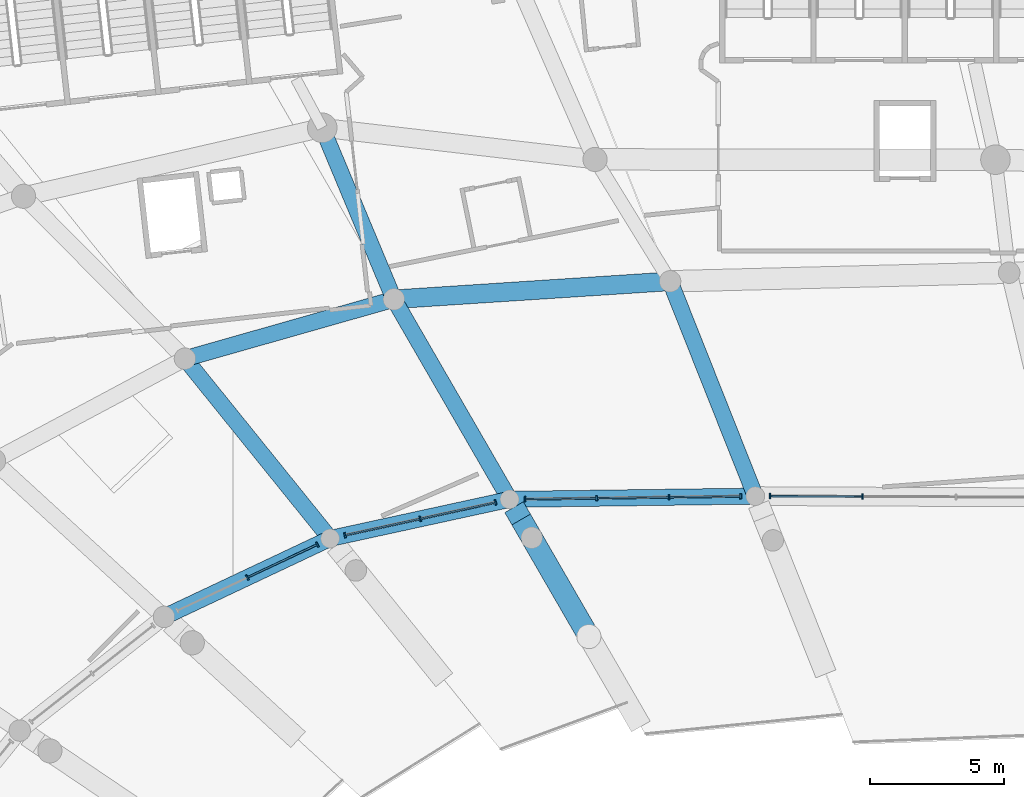
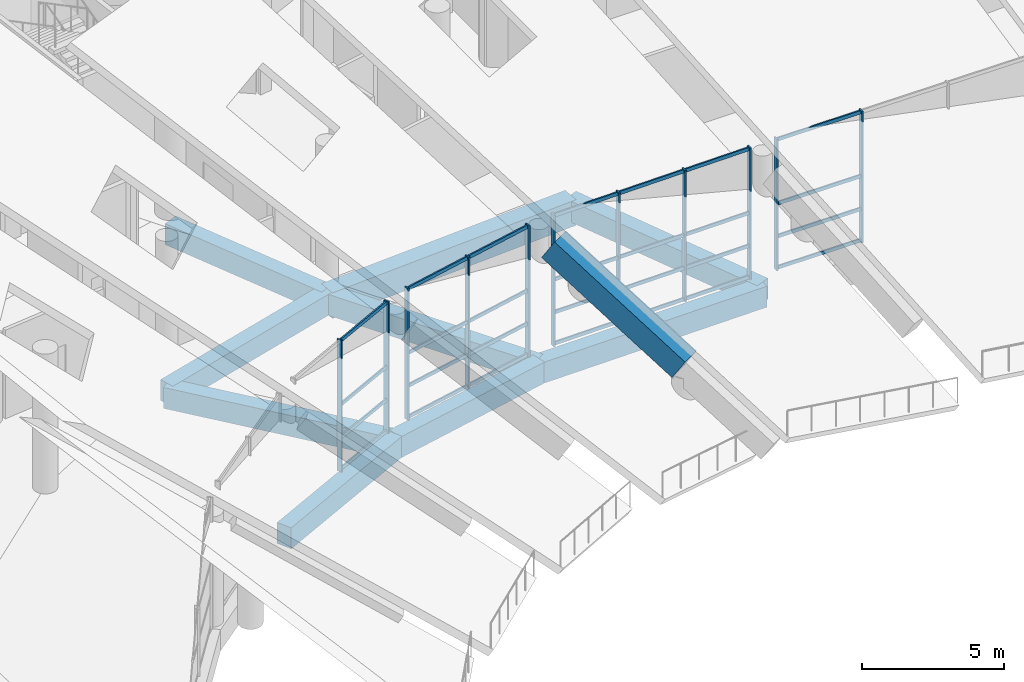
# One storey, part 67 of 249: 39 members, 10 beams, 4 elements without a shape of their own.
"""IFC4 building model written with IfcOpenShell, lengths in metres."""

from ifc_helpers import new_model, si_unit, direction, frame, origin, origin_2d, place, context, subcontext, project, spatial, rectangle, extrude, material, layer, layer_set, material_profile, profile_set, type_object, element, aggregate, save


model = new_model("IFC4")

# Units and contexts
model_context = context("Model", 3, precision=1e-05, world=origin(), true_north=direction((0.0, 1.0)))
body_context = subcontext(model_context, "Body", "Model", "MODEL_VIEW")
ifc_project = project(units=[si_unit("LENGTHUNIT", "METRE"), si_unit("AREAUNIT", "SQUARE_METRE"), si_unit("VOLUMEUNIT", "CUBIC_METRE"), si_unit("PLANEANGLEUNIT", "RADIAN"), si_unit("MASSUNIT", "GRAM", prefix="KILO")], contexts=[model_context])

# Site, building, storey
site_placement = place(None, origin())
site = spatial("IfcSite", under=ifc_project, at=site_placement, CompositionType="ELEMENT")
building_placement = place(site_placement, origin())
building = spatial("IfcBuilding", under=site, at=building_placement, Name="Meseta Stadium", CompositionType="ELEMENT")
storey_placement = place(building_placement, frame((0.0, 0.0, 12.0)))
storey = spatial("IfcBuildingStorey", under=building, at=storey_placement, Name="L02", CompositionType="ELEMENT", Elevation=12.0)

# Curtain wall, members
ifc_material_1 = material(Name="Aluminium", Category="aluminium")
ifc_layer = layer(ifc_material_1, 0.199951171875)
ifc_layer_set = layer_set([ifc_layer], Name="Suite glazing curtain wall")
curtain_wall_type = type_object("IfcCurtainWallType", Name="Suite glazing curtain wall", PredefinedType="NOTDEFINED", material=ifc_layer_set)
curtain_wall_1_placement = place(storey_placement, origin())
curtain_wall_1 = element("IfcCurtainWall", 1, at=curtain_wall_1_placement, inside=storey, type_object=curtain_wall_type, Name="Suite glazing bay 20", PredefinedType="NOTDEFINED")
ifc_material_2 = material(Name="Aluminium", Category="aluminium")
ifc_material_profile_1 = material_profile(ifc_material_2, rectangle(XDim=0.199951171875, YDim=0.06005859375, at=origin_2d()), Name="CW 200x60")
ifc_profile_set_1 = profile_set([ifc_material_profile_1], Name="Aluminium")
member_type_1 = type_object("IfcMemberType", Name="CW mullion 60x200", PredefinedType="MULLION", material=ifc_profile_set_1)
member_1_placement = place(storey_placement, frame((-24.572265625, 77.365478515625, 0.0), z_axis=(0.0, 0.0, 1.0), x_axis=(-0.004468565348, -0.999990015912, 0.0)))
member_1 = element("IfcMember", 2, at=member_1_placement, type_object=member_type_1, Name="CWS mullion 3", PredefinedType="MULLION", context=body_context, shape_type="SweptSolid", body=[
    extrude(rectangle(XDim=0.199951171875, YDim=0.06005859375, at=origin_2d()), origin(), (0.0, 0.0, 1.0), 5.64990234375),
])
member_2_placement = place(storey_placement, frame((-28.0185546875, 77.380859375, 0.0), z_axis=(0.0, 0.0, 1.0), x_axis=(-0.004468565348, -0.999990015912, 0.0)))
member_2 = element("IfcMember", 3, at=member_2_placement, type_object=member_type_1, Name="CWS mullion 4", PredefinedType="MULLION", context=body_context, shape_type="SweptSolid", body=[
    extrude(rectangle(XDim=0.199951171875, YDim=0.06005859375, at=origin_2d()), origin(), (0.0, 0.0, 1.0), 5.64990234375),
])

curtain_wall_2_placement = place(storey_placement, origin())
curtain_wall_2 = element("IfcCurtainWall", 4, at=curtain_wall_2_placement, inside=storey, type_object=curtain_wall_type, Name="Suite glazing bay 21", PredefinedType="NOTDEFINED")
member_3_placement = place(storey_placement, frame((-29.107421875, 77.3759765625, 0.0), z_axis=(0.0, 0.0, 1.0), x_axis=(0.013281177042, -0.999911801279, 0.0)))
member_3 = element("IfcMember", 5, at=member_3_placement, type_object=member_type_1, Name="CWS mullion 1", PredefinedType="MULLION", context=body_context, shape_type="SweptSolid", body=[
    extrude(rectangle(XDim=0.199951171875, YDim=0.06005859375, at=origin_2d()), origin(), (0.0, 0.0, 1.0), 5.64990234375),
])
member_4_placement = place(storey_placement, frame((-31.7724609375, 77.340576171875, 0.0), z_axis=(0.0, 0.0, 1.0), x_axis=(0.013281177042, -0.999911801279, 0.0)))
member_4 = element("IfcMember", 6, at=member_4_placement, type_object=member_type_1, Name="CWS mullion 2", PredefinedType="MULLION", context=body_context, shape_type="SweptSolid", body=[
    extrude(rectangle(XDim=0.199951171875, YDim=0.06005859375, at=origin_2d()), origin(), (0.0, 0.0, 1.0), 5.64990234375),
])
member_5_placement = place(storey_placement, frame((-34.4677734375, 77.3046875, 0.0), z_axis=(0.0, 0.0, 1.0), x_axis=(0.013281177042, -0.999911801279, 0.0)))
member_5 = element("IfcMember", 7, at=member_5_placement, type_object=member_type_1, Name="CWS mullion 3", PredefinedType="MULLION", context=body_context, shape_type="SweptSolid", body=[
    extrude(rectangle(XDim=0.199951171875, YDim=0.06005859375, at=origin_2d()), origin(), (0.0, 0.0, 1.0), 5.64990234375),
])
member_6_placement = place(storey_placement, frame((-37.1328125, 77.269287109375, 0.0), z_axis=(0.0, 0.0, 1.0), x_axis=(0.013281177042, -0.999911801279, 0.0)))
member_6 = element("IfcMember", 8, at=member_6_placement, type_object=member_type_1, Name="CWS mullion 4", PredefinedType="MULLION", context=body_context, shape_type="SweptSolid", body=[
    extrude(rectangle(XDim=0.199951171875, YDim=0.06005859375, at=origin_2d()), origin(), (0.0, 0.0, 1.0), 5.64990234375),
])

curtain_wall_3_placement = place(storey_placement, origin())
curtain_wall_3 = element("IfcCurtainWall", 9, at=curtain_wall_3_placement, inside=storey, type_object=curtain_wall_type, Name="Suite glazing bay 22", PredefinedType="NOTDEFINED")
member_7_placement = place(storey_placement, frame((-38.232421875, 77.148193359375, 0.0), z_axis=(0.0, 0.0, 1.0), x_axis=(0.21291694712, -0.977070301273, 0.0)))
member_7 = element("IfcMember", 10, at=member_7_placement, type_object=member_type_1, Name="CWS mullion 1", PredefinedType="MULLION", context=body_context, shape_type="SweptSolid", body=[
    extrude(rectangle(XDim=0.199951171875, YDim=0.06005859375, at=origin_2d()), origin(), (0.0, 0.0, 1.0), 5.64990234375),
])
member_8_placement = place(storey_placement, frame((-41.034912109375, 76.53759765625, 0.0), z_axis=(0.0, 0.0, 1.0), x_axis=(0.21291694712, -0.977070301273, 0.0)))
member_8 = element("IfcMember", 11, at=member_8_placement, type_object=member_type_1, Name="CWS mullion 2", PredefinedType="MULLION", context=body_context, shape_type="SweptSolid", body=[
    extrude(rectangle(XDim=0.199951171875, YDim=0.06005859375, at=origin_2d()), origin(), (0.0, 0.0, 1.0), 5.64990234375),
])
member_9_placement = place(storey_placement, frame((-43.83740234375, 75.9267578125, 0.0), z_axis=(0.0, 0.0, 1.0), x_axis=(0.21291694712, -0.977070301273, 0.0)))
member_9 = element("IfcMember", 12, at=member_9_placement, type_object=member_type_1, Name="CWS mullion 3", PredefinedType="MULLION", context=body_context, shape_type="SweptSolid", body=[
    extrude(rectangle(XDim=0.199951171875, YDim=0.06005859375, at=origin_2d()), origin(), (0.0, 0.0, 1.0), 5.64990234375),
])

curtain_wall_4_placement = place(storey_placement, origin())
curtain_wall_4 = element("IfcCurtainWall", 13, at=curtain_wall_4_placement, inside=storey, type_object=curtain_wall_type, Name="Suite glazing bay 23", PredefinedType="NOTDEFINED")
member_10_placement = place(storey_placement, frame((-44.86279296875, 75.583251953125, 0.0), z_axis=(0.0, 0.0, 1.0), x_axis=(0.426837356076, -0.904328409074, 0.0)))
member_10 = element("IfcMember", 14, at=member_10_placement, type_object=member_type_1, Name="CWS mullion 1", PredefinedType="MULLION", context=body_context, shape_type="SweptSolid", body=[
    extrude(rectangle(XDim=0.199951171875, YDim=0.06005859375, at=origin_2d()), origin(), (0.0, 0.0, 1.0), 5.64990234375),
])
member_11_placement = place(storey_placement, frame((-47.4697265625, 74.352783203125, 0.0), z_axis=(0.0, 0.0, 1.0), x_axis=(0.426837356076, -0.904328409074, 0.0)))
member_11 = element("IfcMember", 15, at=member_11_placement, type_object=member_type_1, Name="CWS mullion 2", PredefinedType="MULLION", context=body_context, shape_type="SweptSolid", body=[
    extrude(rectangle(XDim=0.199951171875, YDim=0.06005859375, at=origin_2d()), origin(), (0.0, 0.0, 1.0), 5.64990234375),
])

# Member
ifc_material_3 = material(Name="Aluminium", Category="aluminium")
ifc_material_profile_2 = material_profile(ifc_material_3, rectangle(XDim=0.06005859375, YDim=0.14990234375, at=origin_2d()), Name="CW 60x150")
ifc_profile_set_2 = profile_set([ifc_material_profile_2], Name="Aluminium")
member_type_2 = type_object("IfcMemberType", Name="CW transom 60x150", PredefinedType="USERDEFINED", material=ifc_profile_set_2)
member_12_placement = place(storey_placement, frame((-24.602294921875, 77.365478515625, 0.074951171875), z_axis=(-0.999990009345, 0.004470034649, 0.0), x_axis=(-0.004470034649, -0.999990009345, 0.0)))
member_12 = element("IfcMember", 16, at=member_12_placement, type_object=member_type_2, Name="CWS transom 3.1", ObjectType="TRANSOM", PredefinedType="USERDEFINED", context=body_context, shape_type="SweptSolid", body=[
    extrude(rectangle(XDim=0.06005859375, YDim=0.14990234375, at=origin_2d()), origin(), (0.0, 0.0, 1.0), 3.38623046875),
])

member_13_placement = place(storey_placement, frame((-24.602294921875, 77.365478515625, 1.41259765625), z_axis=(-0.999990009345, 0.004470034649, 0.0), x_axis=(-0.004470034649, -0.999990009345, 0.0)))
member_13 = element("IfcMember", 17, at=member_13_placement, type_object=member_type_2, Name="CWS transom 3.2", ObjectType="TRANSOM", PredefinedType="USERDEFINED", context=body_context, shape_type="SweptSolid", body=[
    extrude(rectangle(XDim=0.06005859375, YDim=0.14990234375, at=origin_2d()), origin(), (0.0, 0.0, 1.0), 3.38623046875),
])

member_14_placement = place(storey_placement, frame((-24.602294921875, 77.365478515625, 2.824951171875), z_axis=(-0.999990009345, 0.004470034649, 0.0), x_axis=(-0.004470034649, -0.999990009345, 0.0)))
member_14 = element("IfcMember", 18, at=member_14_placement, type_object=member_type_2, Name="CWS transom 3.3", ObjectType="TRANSOM", PredefinedType="USERDEFINED", context=body_context, shape_type="SweptSolid", body=[
    extrude(rectangle(XDim=0.06005859375, YDim=0.14990234375, at=origin_2d()), origin(), (0.0, 0.0, 1.0), 3.38623046875),
])

member_15_placement = place(storey_placement, frame((-24.602294921875, 77.365478515625, 5.574951171875), z_axis=(-0.999990009345, 0.004470034649, 0.0), x_axis=(-0.004470034649, -0.999990009345, 0.0)))
member_15 = element("IfcMember", 19, at=member_15_placement, type_object=member_type_2, Name="CWS transom 3.4", ObjectType="TRANSOM", PredefinedType="USERDEFINED", context=body_context, shape_type="SweptSolid", body=[
    extrude(rectangle(XDim=0.06005859375, YDim=0.14990234375, at=origin_2d()), origin(), (0.0, 0.0, 1.0), 3.38623046875),
])

aggregate(curtain_wall_1, [member_1, member_2, member_12, member_13, member_14, member_15])

member_16_placement = place(storey_placement, frame((-29.137451171875, 77.37548828125, 0.074951171875), z_axis=(-0.999912698337, -0.013213466773, 0.0), x_axis=(0.013213466773, -0.999912698337, 0.0)))
member_16 = element("IfcMember", 20, at=member_16_placement, type_object=member_type_2, Name="CWS transom 1.1", ObjectType="TRANSOM", PredefinedType="USERDEFINED", context=body_context, shape_type="SweptSolid", body=[
    extrude(rectangle(XDim=0.06005859375, YDim=0.14990234375, at=origin_2d()), origin(), (0.0, 0.0, 1.0), 2.605224609375),
])

member_17_placement = place(storey_placement, frame((-29.137451171875, 77.37548828125, 1.41259765625), z_axis=(-0.999912698337, -0.013213466773, 0.0), x_axis=(0.013213466773, -0.999912698337, 0.0)))
member_17 = element("IfcMember", 21, at=member_17_placement, type_object=member_type_2, Name="CWS transom 1.2", ObjectType="TRANSOM", PredefinedType="USERDEFINED", context=body_context, shape_type="SweptSolid", body=[
    extrude(rectangle(XDim=0.06005859375, YDim=0.14990234375, at=origin_2d()), origin(), (0.0, 0.0, 1.0), 2.605224609375),
])

member_18_placement = place(storey_placement, frame((-29.137451171875, 77.37548828125, 2.824951171875), z_axis=(-0.999912698337, -0.013213466773, 0.0), x_axis=(0.013213466773, -0.999912698337, 0.0)))
member_18 = element("IfcMember", 22, at=member_18_placement, type_object=member_type_2, Name="CWS transom 1.3", ObjectType="TRANSOM", PredefinedType="USERDEFINED", context=body_context, shape_type="SweptSolid", body=[
    extrude(rectangle(XDim=0.06005859375, YDim=0.14990234375, at=origin_2d()), origin(), (0.0, 0.0, 1.0), 2.605224609375),
])

member_19_placement = place(storey_placement, frame((-29.137451171875, 77.37548828125, 5.574951171875), z_axis=(-0.999912698337, -0.013213466773, 0.0), x_axis=(0.013213466773, -0.999912698337, 0.0)))
member_19 = element("IfcMember", 23, at=member_19_placement, type_object=member_type_2, Name="CWS transom 1.4", ObjectType="TRANSOM", PredefinedType="USERDEFINED", context=body_context, shape_type="SweptSolid", body=[
    extrude(rectangle(XDim=0.06005859375, YDim=0.14990234375, at=origin_2d()), origin(), (0.0, 0.0, 1.0), 2.605224609375),
])

member_20_placement = place(storey_placement, frame((-31.802490234375, 77.340087890625, 0.074951171875), z_axis=(-0.999912255463, -0.013246938348, 0.0), x_axis=(0.013246938348, -0.999912255463, 0.0)))
member_20 = element("IfcMember", 24, at=member_20_placement, type_object=member_type_2, Name="CWS transom 2.1", ObjectType="TRANSOM", PredefinedType="USERDEFINED", context=body_context, shape_type="SweptSolid", body=[
    extrude(rectangle(XDim=0.06005859375, YDim=0.14990234375, at=origin_2d()), origin(), (0.0, 0.0, 1.0), 2.635498046875),
])

member_21_placement = place(storey_placement, frame((-31.802490234375, 77.340087890625, 1.41259765625), z_axis=(-0.999912255463, -0.013246938348, 0.0), x_axis=(0.013246938348, -0.999912255463, 0.0)))
member_21 = element("IfcMember", 25, at=member_21_placement, type_object=member_type_2, Name="CWS transom 2.2", ObjectType="TRANSOM", PredefinedType="USERDEFINED", context=body_context, shape_type="SweptSolid", body=[
    extrude(rectangle(XDim=0.06005859375, YDim=0.14990234375, at=origin_2d()), origin(), (0.0, 0.0, 1.0), 2.635498046875),
])

member_22_placement = place(storey_placement, frame((-31.802490234375, 77.340087890625, 2.824951171875), z_axis=(-0.999912255463, -0.013246938348, 0.0), x_axis=(0.013246938348, -0.999912255463, 0.0)))
member_22 = element("IfcMember", 26, at=member_22_placement, type_object=member_type_2, Name="CWS transom 2.3", ObjectType="TRANSOM", PredefinedType="USERDEFINED", context=body_context, shape_type="SweptSolid", body=[
    extrude(rectangle(XDim=0.06005859375, YDim=0.14990234375, at=origin_2d()), origin(), (0.0, 0.0, 1.0), 2.635498046875),
])

member_23_placement = place(storey_placement, frame((-31.802490234375, 77.340087890625, 5.574951171875), z_axis=(-0.999912255463, -0.013246938348, 0.0), x_axis=(0.013246938348, -0.999912255463, 0.0)))
member_23 = element("IfcMember", 27, at=member_23_placement, type_object=member_type_2, Name="CWS transom 2.4", ObjectType="TRANSOM", PredefinedType="USERDEFINED", context=body_context, shape_type="SweptSolid", body=[
    extrude(rectangle(XDim=0.06005859375, YDim=0.14990234375, at=origin_2d()), origin(), (0.0, 0.0, 1.0), 2.635498046875),
])

member_24_placement = place(storey_placement, frame((-34.49755859375, 77.304443359375, 0.074951171875), z_axis=(-0.999911472382, -0.013305915948, 0.0), x_axis=(0.013305915948, -0.999911472382, 0.0)))
member_24 = element("IfcMember", 28, at=member_24_placement, type_object=member_type_2, Name="CWS transom 3.1", ObjectType="TRANSOM", PredefinedType="USERDEFINED", context=body_context, shape_type="SweptSolid", body=[
    extrude(rectangle(XDim=0.06005859375, YDim=0.14990234375, at=origin_2d()), origin(), (0.0, 0.0, 1.0), 2.60546875),
])

member_25_placement = place(storey_placement, frame((-34.49755859375, 77.304443359375, 1.41259765625), z_axis=(-0.999911472382, -0.013305915948, 0.0), x_axis=(0.013305915948, -0.999911472382, 0.0)))
member_25 = element("IfcMember", 29, at=member_25_placement, type_object=member_type_2, Name="CWS transom 3.2", ObjectType="TRANSOM", PredefinedType="USERDEFINED", context=body_context, shape_type="SweptSolid", body=[
    extrude(rectangle(XDim=0.06005859375, YDim=0.14990234375, at=origin_2d()), origin(), (0.0, 0.0, 1.0), 2.60546875),
])

member_26_placement = place(storey_placement, frame((-34.49755859375, 77.304443359375, 2.824951171875), z_axis=(-0.999911472382, -0.013305915948, 0.0), x_axis=(0.013305915948, -0.999911472382, 0.0)))
member_26 = element("IfcMember", 30, at=member_26_placement, type_object=member_type_2, Name="CWS transom 3.3", ObjectType="TRANSOM", PredefinedType="USERDEFINED", context=body_context, shape_type="SweptSolid", body=[
    extrude(rectangle(XDim=0.06005859375, YDim=0.14990234375, at=origin_2d()), origin(), (0.0, 0.0, 1.0), 2.60546875),
])

member_27_placement = place(storey_placement, frame((-34.49755859375, 77.304443359375, 5.574951171875), z_axis=(-0.999911472382, -0.013305915948, 0.0), x_axis=(0.013305915948, -0.999911472382, 0.0)))
member_27 = element("IfcMember", 31, at=member_27_placement, type_object=member_type_2, Name="CWS transom 3.4", ObjectType="TRANSOM", PredefinedType="USERDEFINED", context=body_context, shape_type="SweptSolid", body=[
    extrude(rectangle(XDim=0.06005859375, YDim=0.14990234375, at=origin_2d()), origin(), (0.0, 0.0, 1.0), 2.60546875),
])

aggregate(curtain_wall_2, [member_3, member_4, member_5, member_6, member_16, member_17, member_18, member_19, member_20, member_21, member_22, member_23, member_24, member_25, member_26, member_27])

member_28_placement = place(storey_placement, frame((-38.26171875, 77.141845703125, 0.074951171875), z_axis=(-0.977072677928, -0.212906040417, 0.0), x_axis=(0.212906040417, -0.977072677928, 0.0)))
member_28 = element("IfcMember", 32, at=member_28_placement, type_object=member_type_2, Name="CWS transom 1.1", ObjectType="TRANSOM", PredefinedType="USERDEFINED", context=body_context, shape_type="SweptSolid", body=[
    extrude(rectangle(XDim=0.06005859375, YDim=0.14990234375, at=origin_2d()), origin(), (0.0, 0.0, 1.0), 2.808349609375),
])

member_29_placement = place(storey_placement, frame((-38.26171875, 77.141845703125, 1.41259765625), z_axis=(-0.977072677928, -0.212906040417, 0.0), x_axis=(0.212906040417, -0.977072677928, 0.0)))
member_29 = element("IfcMember", 33, at=member_29_placement, type_object=member_type_2, Name="CWS transom 1.2", ObjectType="TRANSOM", PredefinedType="USERDEFINED", context=body_context, shape_type="SweptSolid", body=[
    extrude(rectangle(XDim=0.06005859375, YDim=0.14990234375, at=origin_2d()), origin(), (0.0, 0.0, 1.0), 2.808349609375),
])

member_30_placement = place(storey_placement, frame((-38.26171875, 77.141845703125, 2.824951171875), z_axis=(-0.977072677928, -0.212906040417, 0.0), x_axis=(0.212906040417, -0.977072677928, 0.0)))
member_30 = element("IfcMember", 34, at=member_30_placement, type_object=member_type_2, Name="CWS transom 1.3", ObjectType="TRANSOM", PredefinedType="USERDEFINED", context=body_context, shape_type="SweptSolid", body=[
    extrude(rectangle(XDim=0.06005859375, YDim=0.14990234375, at=origin_2d()), origin(), (0.0, 0.0, 1.0), 2.808349609375),
])

member_31_placement = place(storey_placement, frame((-38.26171875, 77.141845703125, 5.574951171875), z_axis=(-0.977072677928, -0.212906040417, 0.0), x_axis=(0.212906040417, -0.977072677928, 0.0)))
member_31 = element("IfcMember", 35, at=member_31_placement, type_object=member_type_2, Name="CWS transom 1.4", ObjectType="TRANSOM", PredefinedType="USERDEFINED", context=body_context, shape_type="SweptSolid", body=[
    extrude(rectangle(XDim=0.06005859375, YDim=0.14990234375, at=origin_2d()), origin(), (0.0, 0.0, 1.0), 2.808349609375),
])

member_32_placement = place(storey_placement, frame((-41.064208984375, 76.53125, 0.074951171875), z_axis=(-0.977072677928, -0.212906040417, 0.0), x_axis=(0.212906040417, -0.977072677928, 0.0)))
member_32 = element("IfcMember", 36, at=member_32_placement, type_object=member_type_2, Name="CWS transom 2.1", ObjectType="TRANSOM", PredefinedType="USERDEFINED", context=body_context, shape_type="SweptSolid", body=[
    extrude(rectangle(XDim=0.06005859375, YDim=0.14990234375, at=origin_2d()), origin(), (0.0, 0.0, 1.0), 2.808349609375),
])

member_33_placement = place(storey_placement, frame((-41.064208984375, 76.53125, 1.41259765625), z_axis=(-0.977072677928, -0.212906040417, 0.0), x_axis=(0.212906040417, -0.977072677928, 0.0)))
member_33 = element("IfcMember", 37, at=member_33_placement, type_object=member_type_2, Name="CWS transom 2.2", ObjectType="TRANSOM", PredefinedType="USERDEFINED", context=body_context, shape_type="SweptSolid", body=[
    extrude(rectangle(XDim=0.06005859375, YDim=0.14990234375, at=origin_2d()), origin(), (0.0, 0.0, 1.0), 2.808349609375),
])

member_34_placement = place(storey_placement, frame((-41.064208984375, 76.53125, 2.824951171875), z_axis=(-0.977072677928, -0.212906040417, 0.0), x_axis=(0.212906040417, -0.977072677928, 0.0)))
member_34 = element("IfcMember", 38, at=member_34_placement, type_object=member_type_2, Name="CWS transom 2.3", ObjectType="TRANSOM", PredefinedType="USERDEFINED", context=body_context, shape_type="SweptSolid", body=[
    extrude(rectangle(XDim=0.06005859375, YDim=0.14990234375, at=origin_2d()), origin(), (0.0, 0.0, 1.0), 2.808349609375),
])

member_35_placement = place(storey_placement, frame((-41.064208984375, 76.53125, 5.574951171875), z_axis=(-0.977072677928, -0.212906040417, 0.0), x_axis=(0.212906040417, -0.977072677928, 0.0)))
member_35 = element("IfcMember", 39, at=member_35_placement, type_object=member_type_2, Name="CWS transom 2.4", ObjectType="TRANSOM", PredefinedType="USERDEFINED", context=body_context, shape_type="SweptSolid", body=[
    extrude(rectangle(XDim=0.06005859375, YDim=0.14990234375, at=origin_2d()), origin(), (0.0, 0.0, 1.0), 2.808349609375),
])

aggregate(curtain_wall_3, [member_7, member_8, member_9, member_28, member_29, member_30, member_31, member_32, member_33, member_34, member_35])

member_36_placement = place(storey_placement, frame((-44.889892578125, 75.570556640625, 0.074951171875), z_axis=(-0.904333972245, -0.426825569341, 0.0), x_axis=(0.426825569341, -0.904333972245, 0.0)))
member_36 = element("IfcMember", 40, at=member_36_placement, type_object=member_type_2, Name="CWS transom 1.1", ObjectType="TRANSOM", PredefinedType="USERDEFINED", context=body_context, shape_type="SweptSolid", body=[
    extrude(rectangle(XDim=0.06005859375, YDim=0.14990234375, at=origin_2d()), origin(), (0.0, 0.0, 1.0), 2.82275390625),
])

member_37_placement = place(storey_placement, frame((-44.889892578125, 75.570556640625, 1.41259765625), z_axis=(-0.904333972245, -0.426825569341, 0.0), x_axis=(0.426825569341, -0.904333972245, 0.0)))
member_37 = element("IfcMember", 41, at=member_37_placement, type_object=member_type_2, Name="CWS transom 1.2", ObjectType="TRANSOM", PredefinedType="USERDEFINED", context=body_context, shape_type="SweptSolid", body=[
    extrude(rectangle(XDim=0.06005859375, YDim=0.14990234375, at=origin_2d()), origin(), (0.0, 0.0, 1.0), 2.82275390625),
])

member_38_placement = place(storey_placement, frame((-44.889892578125, 75.570556640625, 2.824951171875), z_axis=(-0.904333972245, -0.426825569341, 0.0), x_axis=(0.426825569341, -0.904333972245, 0.0)))
member_38 = element("IfcMember", 42, at=member_38_placement, type_object=member_type_2, Name="CWS transom 1.3", ObjectType="TRANSOM", PredefinedType="USERDEFINED", context=body_context, shape_type="SweptSolid", body=[
    extrude(rectangle(XDim=0.06005859375, YDim=0.14990234375, at=origin_2d()), origin(), (0.0, 0.0, 1.0), 2.82275390625),
])

member_39_placement = place(storey_placement, frame((-44.889892578125, 75.570556640625, 5.574951171875), z_axis=(-0.904333972245, -0.426825569341, 0.0), x_axis=(0.426825569341, -0.904333972245, 0.0)))
member_39 = element("IfcMember", 43, at=member_39_placement, type_object=member_type_2, Name="CWS transom 1.4", ObjectType="TRANSOM", PredefinedType="USERDEFINED", context=body_context, shape_type="SweptSolid", body=[
    extrude(rectangle(XDim=0.06005859375, YDim=0.14990234375, at=origin_2d()), origin(), (0.0, 0.0, 1.0), 2.82275390625),
])

aggregate(curtain_wall_4, [member_10, member_11, member_36, member_37, member_38, member_39])

# Beams
ifc_material_4 = material(Name="Concrete C40/50", Category="concrete")
ifc_material_profile_3 = material_profile(ifc_material_4, rectangle(XDim=0.60009765625, YDim=0.89990234375, at=origin_2d()), Name="RC 600x900")
ifc_profile_set_3 = profile_set([ifc_material_profile_3], Name="Concrete C40/50")
beam_type_1 = type_object("IfcBeamType", Name="RC beam 600x900", PredefinedType="BEAM", material=ifc_profile_set_3)
beam_1_placement = place(storey_placement, frame((-28.564697265625, 77.38330078125, -0.800048828125), z_axis=(-0.999911672388, -0.013290877405, 0.0), x_axis=(0.013290877405, -0.999911672388, 0.0)))
element("IfcBeam", 44, at=beam_1_placement, inside=storey, type_object=beam_type_1, Name="L02 ring beam frame 21 line D", PredefinedType="BEAM", context=body_context, shape_type="SweptSolid", body=[
    extrude(rectangle(XDim=0.60009765625, YDim=0.89990234375, at=origin_2d()), origin(), (0.0, 0.0, 1.0), 9.147705078125),
])
beam_2_placement = place(storey_placement, frame((-37.711669921875, 77.26171875, -0.800048828125), z_axis=(-0.977068887475, -0.212923434899, 0.0), x_axis=(0.212923434899, -0.977068887475, 0.0)))
element("IfcBeam", 45, at=beam_2_placement, inside=storey, type_object=beam_type_1, Name="L02 ring beam frame 22 line D", PredefinedType="BEAM", context=body_context, shape_type="SweptSolid", body=[
    extrude(rectangle(XDim=0.60009765625, YDim=0.89990234375, at=origin_2d()), origin(), (0.0, 0.0, 1.0), 6.8349609375),
])
beam_3_placement = place(storey_placement, frame((-42.015380859375, 84.707275390625, -0.800048828125), z_axis=(-0.961951325549, -0.273220876351, 0.0), x_axis=(0.273220876351, -0.961951325549, 0.0)))
element("IfcBeam", 46, at=beam_3_placement, inside=storey, type_object=beam_type_1, Name="L02 ring beam frame 22 line E", PredefinedType="BEAM", context=body_context, shape_type="SweptSolid", body=[
    extrude(rectangle(XDim=0.60009765625, YDim=0.89990234375, at=origin_2d()), origin(), (0.0, 0.0, 1.0), 8.083251953125),
])
beam_4_placement = place(storey_placement, frame((-44.389892578125, 75.806396484375, -0.800048828125), z_axis=(-0.904340564666, -0.426811601412, 0.0), x_axis=(0.426811601412, -0.904340564666, 0.0)))
element("IfcBeam", 47, at=beam_4_placement, inside=storey, type_object=beam_type_1, Name="L02 ring beam frame 23 line D", PredefinedType="BEAM", context=body_context, shape_type="SweptSolid", body=[
    extrude(rectangle(XDim=0.60009765625, YDim=0.89990234375, at=origin_2d()), origin(), (0.0, 0.0, 1.0), 6.83544921875),
])
for number, where, z_axis, x_axis, name in (
    (48, (-28.564697265625, 77.38330078125, -0.800048828125), (-0.36885875695, 0.929485458424, 0.0), (-0.929485458424, -0.36885875695, 0.0), "L02 radial beam frame 21 line D to E"),
    (49, (-37.711669921875, 77.26171875, -0.800048828125), (-0.500437453612, 0.865772692467, 0.0), (-0.865772692467, -0.500437453612, 0.0), "L02 radial beam frame 22 line D to E"),
):
    element("IfcBeam", number, at=place(storey_placement, frame(where, z_axis=z_axis, x_axis=x_axis)), inside=storey, type_object=beam_type_1, Name=name, PredefinedType="BEAM", context=body_context, shape_type="SweptSolid", body=[
        extrude(rectangle(XDim=0.60009765625, YDim=0.89990234375, at=origin_2d()), origin(), (0.0, 0.0, 1.0), 8.599853515625),
    ])
beam_5_placement = place(storey_placement, frame((-42.015380859375, 84.707275390625, -0.800048828125), z_axis=(-0.385529780444, 0.922695393069, 0.0), x_axis=(-0.922695393069, -0.385529780444, 0.0)))
element("IfcBeam", 50, at=beam_5_placement, inside=storey, type_object=beam_type_1, Name="L02 radial beam frame 22 line E to P", PredefinedType="BEAM", context=body_context, shape_type="SweptSolid", body=[
    extrude(rectangle(XDim=0.60009765625, YDim=0.89990234375, at=origin_2d()), origin(), (0.0, 0.0, 1.0), 6.91845703125),
])
beam_6_placement = place(storey_placement, frame((-44.389892578125, 75.806396484375, -0.800048828125), z_axis=(-0.628037063111, 0.778183427836, 0.0), x_axis=(-0.778183427836, -0.628037063111, 0.0)))
element("IfcBeam", 51, at=beam_6_placement, inside=storey, type_object=beam_type_1, Name="L02 radial beam frame 23 line D to E", PredefinedType="BEAM", context=body_context, shape_type="SweptSolid", body=[
    extrude(rectangle(XDim=0.60009765625, YDim=0.89990234375, at=origin_2d()), origin(), (0.0, 0.0, 1.0), 8.60009765625),
])
ifc_material_5 = material(Name="Concrete C40/50", Category="concrete")
ifc_material_profile_4 = material_profile(ifc_material_5, rectangle(XDim=0.699951171875, YDim=1.10009765625, at=origin_2d()), Name="RC 700x1100")
ifc_profile_set_4 = profile_set([ifc_material_profile_4], Name="Concrete C40/50")
beam_type_2 = type_object("IfcBeamType", Name="RC beam 700x1100", PredefinedType="BEAM", material=ifc_profile_set_4)
beam_7_placement = place(storey_placement, frame((-31.73681640625, 85.376708984375, -0.89990234375), z_axis=(-0.997885824096, -0.064991399959, 0.0), x_axis=(0.064991399959, -0.997885824096, 0.0)))
element("IfcBeam", 52, at=beam_7_placement, inside=storey, type_object=beam_type_2, Name="L02 ring beam frame 21 line E", PredefinedType="BEAM", context=body_context, shape_type="SweptSolid", body=[
    extrude(rectangle(XDim=0.699951171875, YDim=1.10009765625, at=origin_2d()), origin(), (0.0, 0.0, 1.0), 10.30029296875),
])
ifc_material_6 = material(Name="Concrete C40/50", Category="concrete")
ifc_material_profile_5 = material_profile(ifc_material_6, rectangle(XDim=0.800048828125, YDim=1.0, at=origin_2d()), Name="RC 800x1000")
ifc_profile_set_5 = profile_set([ifc_material_profile_5], Name="Concrete C40/50")
beam_type_3 = type_object("IfcBeamType", Name="RC raker upper front 800x1000", PredefinedType="USERDEFINED", material=ifc_profile_set_5)
beam_8_placement = place(storey_placement, frame((-34.7607421875, 72.15625, 1.460693359375), z_axis=(-0.424682874721, 0.734688075037, 0.529034864936), x_axis=(-0.865764786309, -0.500451131268, 0.0)))
element("IfcBeam", 53, at=beam_8_placement, inside=storey, type_object=beam_type_3, Name="Raker upper front frame 22 upper tier", ObjectType="RAKER", PredefinedType="USERDEFINED", context=body_context, shape_type="SweptSolid", body=[
    extrude(rectangle(XDim=0.800048828125, YDim=1.0, at=origin_2d()), origin(), (0.0, 0.0, 1.0), 6.241943359375),
])

save(model, "model.ifc")
